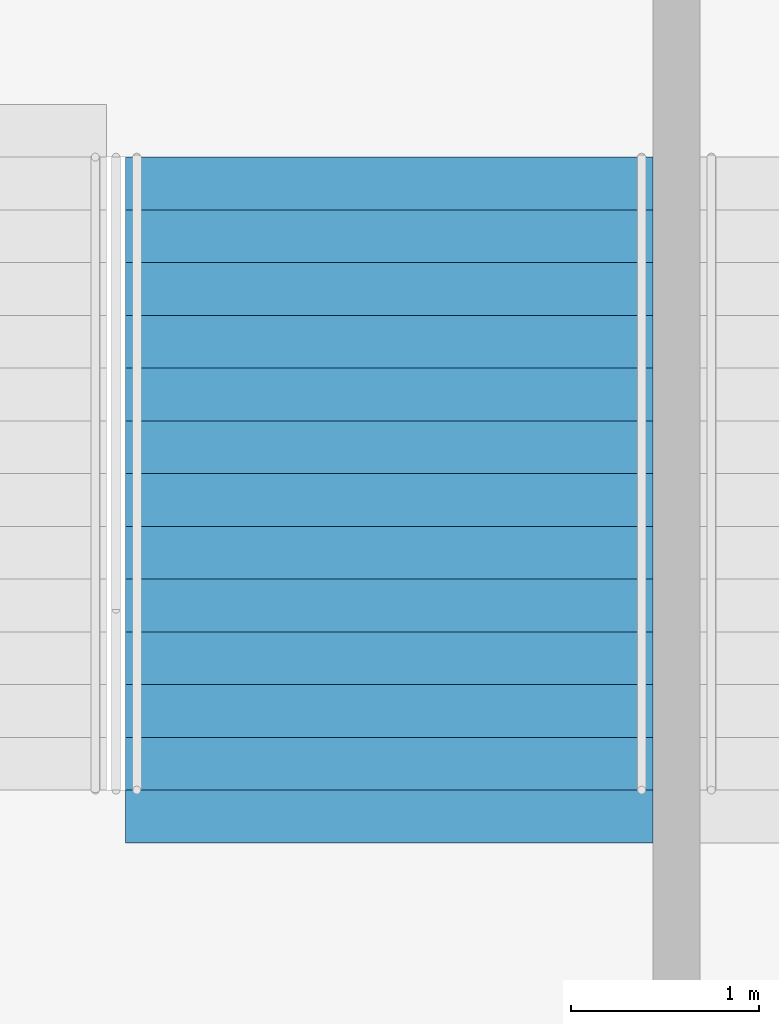
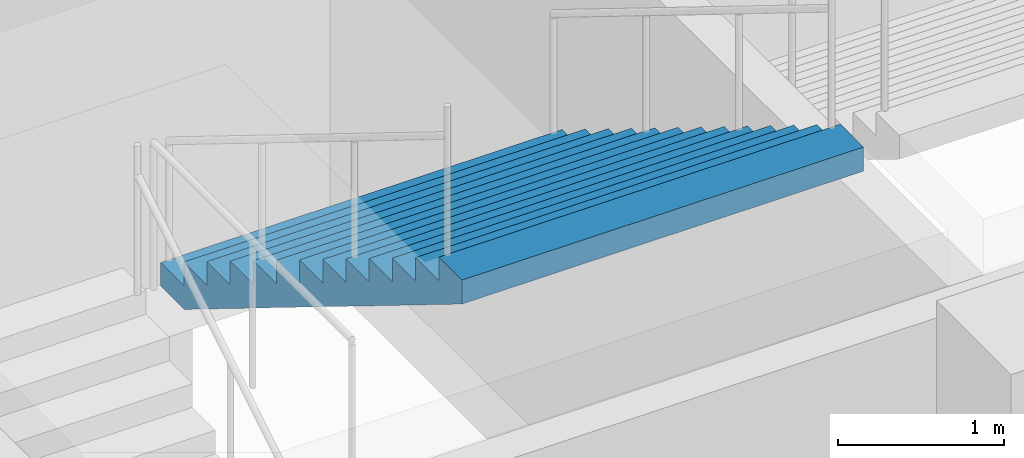
# One storey, part 141 of 177: 1 stair flight, 1 element without a shape of its own.
"""IFC4 building model written with IfcOpenShell, lengths in metres."""

from ifc_helpers import new_model, si_unit, direction, frame, origin, place, context, subcontext, project, spatial, faceted_brep, material, type_object, element, aggregate, save


model = new_model("IFC4")

# Units and contexts
model_context = context("Model", 3, precision=1e-05, world=origin(), true_north=direction((0.0, 1.0)))
body_context = subcontext(model_context, "Body", "Model", "MODEL_VIEW")
ifc_project = project(units=[si_unit("LENGTHUNIT", "METRE"), si_unit("AREAUNIT", "SQUARE_METRE"), si_unit("VOLUMEUNIT", "CUBIC_METRE"), si_unit("PLANEANGLEUNIT", "RADIAN"), si_unit("MASSUNIT", "GRAM", prefix="KILO")], contexts=[model_context])

# Site, building, storey
site_placement = place(None, origin())
site = spatial("IfcSite", under=ifc_project, at=site_placement, CompositionType="ELEMENT")
building_placement = place(site_placement, origin())
building = spatial("IfcBuilding", under=site, at=building_placement, Name="Ogive Plaza Stadium", CompositionType="ELEMENT")
storey_placement = place(building_placement, frame((0.0, 0.0, 18.0)))
storey = spatial("IfcBuildingStorey", under=building, at=storey_placement, Name="L04", CompositionType="ELEMENT", Elevation=18.0)

# Stair, stair flight
ifc_material_1 = material(Name="Concrete C40/50", Category="concrete")
stair_type = type_object("IfcStairType", Name="Exit stair", PredefinedType="STRAIGHT_RUN_STAIR", material=ifc_material_1)
stair_placement = place(storey_placement, origin())
stair = element("IfcStair", 1, at=stair_placement, inside=storey, type_object=stair_type, Name="Exit stair ST32B L04 to L05", PredefinedType="STRAIGHT_RUN_STAIR")
ifc_material_2 = material(Name="Concrete C40/50", Category="concrete")
stair_flight_type = type_object("IfcStairFlightType", Name="Exit stair flight", PredefinedType="STRAIGHT", material=ifc_material_2)
stair_flight_placement = place(storey_placement, frame((-35.52490234375, 98.2099609375, 2.25), z_axis=(0.0, 0.0, 1.0), x_axis=(0.0, -1.0, 0.0)))
stair_flight = element("IfcStairFlight", 2, at=stair_flight_placement, type_object=stair_flight_type, Name="ST32B flight 2", NumberOfRisers=13, NumberOfTreads=12, PredefinedType="STRAIGHT", RiserHeight=0.173076923, TreadLength=0.28, context=body_context, shape_type="Brep", body=[
    faceted_brep([(0.28515625, -1.39990234375, 0.0), (3.639892578125, -1.39990234375, 2.07373046875), (3.639892578125, -1.39990234375, 2.25), (3.360107421875, -1.39990234375, 2.25), (3.360107421875, -1.39990234375, 2.076904296875), (3.080078125, -1.39990234375, 2.076904296875), (3.080078125, -1.39990234375, 1.90380859375), (2.800048828125, -1.39990234375, 1.90380859375), (2.800048828125, -1.39990234375, 1.730712890625), (2.52001953125, -1.39990234375, 1.730712890625), (2.52001953125, -1.39990234375, 1.5576171875), (2.239990234375, -1.39990234375, 1.5576171875), (2.239990234375, -1.39990234375, 1.384521484375), (1.9599609375, -1.39990234375, 1.384521484375), (1.9599609375, -1.39990234375, 1.21142578125), (1.679931640625, -1.39990234375, 1.21142578125), (1.679931640625, -1.39990234375, 1.03857421875), (1.39990234375, -1.39990234375, 1.03857421875), (1.39990234375, -1.39990234375, 0.865478515625), (1.1201171875, -1.39990234375, 0.865478515625), (1.1201171875, -1.39990234375, 0.6923828125), (0.840087890625, -1.39990234375, 0.6923828125), (0.840087890625, -1.39990234375, 0.519287109375), (0.56005859375, -1.39990234375, 0.519287109375), (0.56005859375, -1.39990234375, 0.34619140625), (0.280029296875, -1.39990234375, 0.34619140625), (0.280029296875, -1.39990234375, 0.173095703125), (0.0, -1.39990234375, 0.173095703125), (0.0, -1.39990234375, 0.0), (0.0, 1.39990234375, 0.0), (0.0, 1.39990234375, 0.173095703125), (0.280029296875, 1.39990234375, 0.173095703125), (0.280029296875, 1.39990234375, 0.34619140625), (0.56005859375, 1.39990234375, 0.34619140625), (0.56005859375, 1.39990234375, 0.519287109375), (0.840087890625, 1.39990234375, 0.519287109375), (0.840087890625, 1.39990234375, 0.6923828125), (1.1201171875, 1.39990234375, 0.6923828125), (1.1201171875, 1.39990234375, 0.865478515625), (1.39990234375, 1.39990234375, 0.865478515625), (1.39990234375, 1.39990234375, 1.03857421875), (1.679931640625, 1.39990234375, 1.03857421875), (1.679931640625, 1.39990234375, 1.21142578125), (1.9599609375, 1.39990234375, 1.21142578125), (1.9599609375, 1.39990234375, 1.384521484375), (2.239990234375, 1.39990234375, 1.384521484375), (2.239990234375, 1.39990234375, 1.5576171875), (2.52001953125, 1.39990234375, 1.5576171875), (2.52001953125, 1.39990234375, 1.730712890625), (2.800048828125, 1.39990234375, 1.730712890625), (2.800048828125, 1.39990234375, 1.90380859375), (3.080078125, 1.39990234375, 1.90380859375), (3.080078125, 1.39990234375, 2.076904296875), (3.360107421875, 1.39990234375, 2.076904296875), (3.360107421875, 1.39990234375, 2.25), (3.639892578125, 1.39990234375, 2.25), (3.639892578125, 1.39990234375, 2.07373046875), (0.28515625, 1.39990234375, 0.0), (0.28515625, -1.0888671875, 0.0), (3.639892578125, -1.0888671875, 2.07373046875), (0.28515625, -0.77783203125, 0.0), (3.639892578125, -0.77783203125, 2.07373046875), (0.28515625, -0.466796875, 0.0), (3.639892578125, -0.466796875, 2.07373046875), (0.28515625, -0.155517578125, 0.0), (3.639892578125, -0.155517578125, 2.07373046875), (0.28515625, 0.155517578125, 0.0), (3.639892578125, 0.155517578125, 2.07373046875), (0.28515625, 0.466796875, 0.0), (3.639892578125, 0.466796875, 2.07373046875), (0.28515625, 0.77783203125, 0.0), (3.639892578125, 0.77783203125, 2.07373046875), (0.28515625, 1.0888671875, 0.0), (3.639892578125, 1.0888671875, 2.07373046875), (3.639892578125, -1.0888671875, 2.25), (3.639892578125, -0.77783203125, 2.25), (3.639892578125, -0.466796875, 2.25), (3.639892578125, -0.155517578125, 2.25), (3.639892578125, 0.155517578125, 2.25), (3.639892578125, 0.466796875, 2.25), (3.639892578125, 0.77783203125, 2.25), (3.639892578125, 1.0888671875, 2.25), (3.360107421875, -1.0888671875, 2.25), (3.360107421875, -0.77783203125, 2.25), (3.360107421875, -0.466796875, 2.25), (3.360107421875, -0.155517578125, 2.25), (3.360107421875, 0.155517578125, 2.25), (3.360107421875, 0.466796875, 2.25), (3.360107421875, 0.77783203125, 2.25), (3.360107421875, 1.0888671875, 2.25), (3.360107421875, -1.0888671875, 2.076904296875), (3.360107421875, -0.77783203125, 2.076904296875), (3.360107421875, -0.466796875, 2.076904296875), (3.360107421875, -0.155517578125, 2.076904296875), (3.360107421875, 0.155517578125, 2.076904296875), (3.360107421875, 0.466796875, 2.076904296875), (3.360107421875, 0.77783203125, 2.076904296875), (3.360107421875, 1.0888671875, 2.076904296875), (3.080078125, -1.0888671875, 2.076904296875), (3.080078125, -0.77783203125, 2.076904296875), (3.080078125, -0.466796875, 2.076904296875), (3.080078125, -0.155517578125, 2.076904296875), (3.080078125, 0.155517578125, 2.076904296875), (3.080078125, 0.466796875, 2.076904296875), (3.080078125, 0.77783203125, 2.076904296875), (3.080078125, 1.0888671875, 2.076904296875), (3.080078125, -1.0888671875, 1.90380859375), (3.080078125, -0.77783203125, 1.90380859375), (3.080078125, -0.466796875, 1.90380859375), (3.080078125, -0.155517578125, 1.90380859375), (3.080078125, 0.155517578125, 1.90380859375), (3.080078125, 0.466796875, 1.90380859375), (3.080078125, 0.77783203125, 1.90380859375), (3.080078125, 1.0888671875, 1.90380859375), (2.800048828125, -1.0888671875, 1.90380859375), (2.800048828125, -0.77783203125, 1.90380859375), (2.800048828125, -0.466796875, 1.90380859375), (2.800048828125, -0.155517578125, 1.90380859375), (2.800048828125, 0.155517578125, 1.90380859375), (2.800048828125, 0.466796875, 1.90380859375), (2.800048828125, 0.77783203125, 1.90380859375), (2.800048828125, 1.0888671875, 1.90380859375), (2.800048828125, -1.0888671875, 1.730712890625), (2.800048828125, -0.77783203125, 1.730712890625), (2.800048828125, -0.466796875, 1.730712890625), (2.800048828125, -0.155517578125, 1.730712890625), (2.800048828125, 0.155517578125, 1.730712890625), (2.800048828125, 0.466796875, 1.730712890625), (2.800048828125, 0.77783203125, 1.730712890625), (2.800048828125, 1.0888671875, 1.730712890625), (2.52001953125, -1.0888671875, 1.730712890625), (2.52001953125, -0.77783203125, 1.730712890625), (2.52001953125, -0.466796875, 1.730712890625), (2.52001953125, -0.155517578125, 1.730712890625), (2.52001953125, 0.155517578125, 1.730712890625), (2.52001953125, 0.466796875, 1.730712890625), (2.52001953125, 0.77783203125, 1.730712890625), (2.52001953125, 1.0888671875, 1.730712890625), (2.52001953125, -1.0888671875, 1.5576171875), (2.52001953125, -0.77783203125, 1.5576171875), (2.52001953125, -0.466796875, 1.5576171875), (2.52001953125, -0.155517578125, 1.5576171875), (2.52001953125, 0.155517578125, 1.5576171875), (2.52001953125, 0.466796875, 1.5576171875), (2.52001953125, 0.77783203125, 1.5576171875), (2.52001953125, 1.0888671875, 1.5576171875), (2.239990234375, -1.0888671875, 1.5576171875), (2.239990234375, -0.77783203125, 1.5576171875), (2.239990234375, -0.466796875, 1.5576171875), (2.239990234375, -0.155517578125, 1.5576171875), (2.239990234375, 0.155517578125, 1.5576171875), (2.239990234375, 0.466796875, 1.5576171875), (2.239990234375, 0.77783203125, 1.5576171875), (2.239990234375, 1.0888671875, 1.5576171875), (2.239990234375, -1.0888671875, 1.384521484375), (2.239990234375, -0.77783203125, 1.384521484375), (2.239990234375, -0.466796875, 1.384521484375), (2.239990234375, -0.155517578125, 1.384521484375), (2.239990234375, 0.155517578125, 1.384521484375), (2.239990234375, 0.466796875, 1.384521484375), (2.239990234375, 0.77783203125, 1.384521484375), (2.239990234375, 1.0888671875, 1.384521484375), (1.9599609375, -1.0888671875, 1.384521484375), (1.9599609375, -0.77783203125, 1.384521484375), (1.9599609375, -0.466796875, 1.384521484375), (1.9599609375, -0.155517578125, 1.384521484375), (1.9599609375, 0.155517578125, 1.384521484375), (1.9599609375, 0.466796875, 1.384521484375), (1.9599609375, 0.77783203125, 1.384521484375), (1.9599609375, 1.0888671875, 1.384521484375), (1.9599609375, -1.0888671875, 1.21142578125), (1.9599609375, -0.77783203125, 1.21142578125), (1.9599609375, -0.466796875, 1.21142578125), (1.9599609375, -0.155517578125, 1.21142578125), (1.9599609375, 0.155517578125, 1.21142578125), (1.9599609375, 0.466796875, 1.21142578125), (1.9599609375, 0.77783203125, 1.21142578125), (1.9599609375, 1.0888671875, 1.21142578125), (1.679931640625, -1.0888671875, 1.21142578125), (1.679931640625, -0.77783203125, 1.21142578125), (1.679931640625, -0.466796875, 1.21142578125), (1.679931640625, -0.155517578125, 1.21142578125), (1.679931640625, 0.155517578125, 1.21142578125), (1.679931640625, 0.466796875, 1.21142578125), (1.679931640625, 0.77783203125, 1.21142578125), (1.679931640625, 1.0888671875, 1.21142578125), (1.679931640625, -1.0888671875, 1.03857421875), (1.679931640625, -0.77783203125, 1.03857421875), (1.679931640625, -0.466796875, 1.03857421875), (1.679931640625, -0.155517578125, 1.03857421875), (1.679931640625, 0.155517578125, 1.03857421875), (1.679931640625, 0.466796875, 1.03857421875), (1.679931640625, 0.77783203125, 1.03857421875), (1.679931640625, 1.0888671875, 1.03857421875), (1.39990234375, -1.0888671875, 1.03857421875), (1.39990234375, -0.77783203125, 1.03857421875), (1.39990234375, -0.466796875, 1.03857421875), (1.39990234375, -0.155517578125, 1.03857421875), (1.39990234375, 0.155517578125, 1.03857421875), (1.39990234375, 0.466796875, 1.03857421875), (1.39990234375, 0.77783203125, 1.03857421875), (1.39990234375, 1.0888671875, 1.03857421875), (1.39990234375, -1.0888671875, 0.865478515625), (1.39990234375, -0.77783203125, 0.865478515625), (1.39990234375, -0.466796875, 0.865478515625), (1.39990234375, -0.155517578125, 0.865478515625), (1.39990234375, 0.155517578125, 0.865478515625), (1.39990234375, 0.466796875, 0.865478515625), (1.39990234375, 0.77783203125, 0.865478515625), (1.39990234375, 1.0888671875, 0.865478515625), (1.1201171875, -1.0888671875, 0.865478515625), (1.1201171875, -0.77783203125, 0.865478515625), (1.1201171875, -0.466796875, 0.865478515625), (1.1201171875, -0.155517578125, 0.865478515625), (1.1201171875, 0.155517578125, 0.865478515625), (1.1201171875, 0.466796875, 0.865478515625), (1.1201171875, 0.77783203125, 0.865478515625), (1.1201171875, 1.0888671875, 0.865478515625), (1.1201171875, -1.0888671875, 0.6923828125), (1.1201171875, -0.77783203125, 0.6923828125), (1.1201171875, -0.466796875, 0.6923828125), (1.1201171875, -0.155517578125, 0.6923828125), (1.1201171875, 0.155517578125, 0.6923828125), (1.1201171875, 0.466796875, 0.6923828125), (1.1201171875, 0.77783203125, 0.6923828125), (1.1201171875, 1.0888671875, 0.6923828125), (0.840087890625, -1.0888671875, 0.6923828125), (0.840087890625, -0.77783203125, 0.6923828125), (0.840087890625, -0.466796875, 0.6923828125), (0.840087890625, -0.155517578125, 0.6923828125), (0.840087890625, 0.155517578125, 0.6923828125), (0.840087890625, 0.466796875, 0.6923828125), (0.840087890625, 0.77783203125, 0.6923828125), (0.840087890625, 1.0888671875, 0.6923828125), (0.840087890625, -1.0888671875, 0.519287109375), (0.840087890625, -0.77783203125, 0.519287109375), (0.840087890625, -0.466796875, 0.519287109375), (0.840087890625, -0.155517578125, 0.519287109375), (0.840087890625, 0.155517578125, 0.519287109375), (0.840087890625, 0.466796875, 0.519287109375), (0.840087890625, 0.77783203125, 0.519287109375), (0.840087890625, 1.0888671875, 0.519287109375), (0.56005859375, -1.0888671875, 0.519287109375), (0.56005859375, -0.77783203125, 0.519287109375), (0.56005859375, -0.466796875, 0.519287109375), (0.56005859375, -0.155517578125, 0.519287109375), (0.56005859375, 0.155517578125, 0.519287109375), (0.56005859375, 0.466796875, 0.519287109375), (0.56005859375, 0.77783203125, 0.519287109375), (0.56005859375, 1.0888671875, 0.519287109375), (0.56005859375, -1.0888671875, 0.34619140625), (0.56005859375, -0.77783203125, 0.34619140625), (0.56005859375, -0.466796875, 0.34619140625), (0.56005859375, -0.155517578125, 0.34619140625), (0.56005859375, 0.155517578125, 0.34619140625), (0.56005859375, 0.466796875, 0.34619140625), (0.56005859375, 0.77783203125, 0.34619140625), (0.56005859375, 1.0888671875, 0.34619140625), (0.280029296875, -1.0888671875, 0.34619140625), (0.280029296875, -0.77783203125, 0.34619140625), (0.280029296875, -0.466796875, 0.34619140625), (0.280029296875, -0.155517578125, 0.34619140625), (0.280029296875, 0.155517578125, 0.34619140625), (0.280029296875, 0.466796875, 0.34619140625), (0.280029296875, 0.77783203125, 0.34619140625), (0.280029296875, 1.0888671875, 0.34619140625), (0.280029296875, -1.0888671875, 0.173095703125), (0.280029296875, -0.77783203125, 0.173095703125), (0.280029296875, -0.466796875, 0.173095703125), (0.280029296875, -0.155517578125, 0.173095703125), (0.280029296875, 0.155517578125, 0.173095703125), (0.280029296875, 0.466796875, 0.173095703125), (0.280029296875, 0.77783203125, 0.173095703125), (0.280029296875, 1.0888671875, 0.173095703125), (0.0, -1.0888671875, 0.173095703125), (0.0, -0.77783203125, 0.173095703125), (0.0, -0.466796875, 0.173095703125), (0.0, -0.155517578125, 0.173095703125), (0.0, 0.155517578125, 0.173095703125), (0.0, 0.466796875, 0.173095703125), (0.0, 0.77783203125, 0.173095703125), (0.0, 1.0888671875, 0.173095703125), (0.0, -1.0888671875, 0.0), (0.0, -0.77783203125, 0.0), (0.0, -0.466796875, 0.0), (0.0, -0.155517578125, 0.0), (0.0, 0.155517578125, 0.0), (0.0, 0.466796875, 0.0), (0.0, 0.77783203125, 0.0), (0.0, 1.0888671875, 0.0)], [[[0, 1, 2, 3, 4, 5, 6, 7, 8, 9, 10, 11, 12, 13, 14, 15, 16, 17, 18, 19, 20, 21, 22, 23, 24, 25, 26, 27, 28]], [[29, 30, 31, 32, 33, 34, 35, 36, 37, 38, 39, 40, 41, 42, 43, 44, 45, 46, 47, 48, 49, 50, 51, 52, 53, 54, 55, 56, 57]], [[0, 58, 59, 1]], [[58, 60, 61, 59]], [[60, 62, 63, 61]], [[62, 64, 65, 63]], [[64, 66, 67, 65]], [[66, 68, 69, 67]], [[68, 70, 71, 69]], [[70, 72, 73, 71]], [[72, 57, 56, 73]], [[1, 59, 74, 2]], [[59, 61, 75, 74]], [[61, 63, 76, 75]], [[63, 65, 77, 76]], [[65, 67, 78, 77]], [[67, 69, 79, 78]], [[69, 71, 80, 79]], [[71, 73, 81, 80]], [[73, 56, 55, 81]], [[2, 74, 82, 3]], [[74, 75, 83, 82]], [[75, 76, 84, 83]], [[76, 77, 85, 84]], [[77, 78, 86, 85]], [[78, 79, 87, 86]], [[79, 80, 88, 87]], [[80, 81, 89, 88]], [[81, 55, 54, 89]], [[3, 82, 90, 4]], [[82, 83, 91, 90]], [[83, 84, 92, 91]], [[84, 85, 93, 92]], [[85, 86, 94, 93]], [[86, 87, 95, 94]], [[87, 88, 96, 95]], [[88, 89, 97, 96]], [[89, 54, 53, 97]], [[4, 90, 98, 5]], [[90, 91, 99, 98]], [[91, 92, 100, 99]], [[92, 93, 101, 100]], [[93, 94, 102, 101]], [[94, 95, 103, 102]], [[95, 96, 104, 103]], [[96, 97, 105, 104]], [[97, 53, 52, 105]], [[5, 98, 106, 6]], [[98, 99, 107, 106]], [[99, 100, 108, 107]], [[100, 101, 109, 108]], [[101, 102, 110, 109]], [[102, 103, 111, 110]], [[103, 104, 112, 111]], [[104, 105, 113, 112]], [[105, 52, 51, 113]], [[6, 106, 114, 7]], [[106, 107, 115, 114]], [[107, 108, 116, 115]], [[108, 109, 117, 116]], [[109, 110, 118, 117]], [[110, 111, 119, 118]], [[111, 112, 120, 119]], [[112, 113, 121, 120]], [[113, 51, 50, 121]], [[7, 114, 122, 8]], [[114, 115, 123, 122]], [[115, 116, 124, 123]], [[116, 117, 125, 124]], [[117, 118, 126, 125]], [[118, 119, 127, 126]], [[119, 120, 128, 127]], [[120, 121, 129, 128]], [[121, 50, 49, 129]], [[8, 122, 130, 9]], [[122, 123, 131, 130]], [[123, 124, 132, 131]], [[124, 125, 133, 132]], [[125, 126, 134, 133]], [[126, 127, 135, 134]], [[127, 128, 136, 135]], [[128, 129, 137, 136]], [[129, 49, 48, 137]], [[9, 130, 138, 10]], [[130, 131, 139, 138]], [[131, 132, 140, 139]], [[132, 133, 141, 140]], [[133, 134, 142, 141]], [[134, 135, 143, 142]], [[135, 136, 144, 143]], [[136, 137, 145, 144]], [[137, 48, 47, 145]], [[10, 138, 146, 11]], [[138, 139, 147, 146]], [[139, 140, 148, 147]], [[140, 141, 149, 148]], [[141, 142, 150, 149]], [[142, 143, 151, 150]], [[143, 144, 152, 151]], [[144, 145, 153, 152]], [[145, 47, 46, 153]], [[11, 146, 154, 12]], [[146, 147, 155, 154]], [[147, 148, 156, 155]], [[148, 149, 157, 156]], [[149, 150, 158, 157]], [[150, 151, 159, 158]], [[151, 152, 160, 159]], [[152, 153, 161, 160]], [[153, 46, 45, 161]], [[12, 154, 162, 13]], [[154, 155, 163, 162]], [[155, 156, 164, 163]], [[156, 157, 165, 164]], [[157, 158, 166, 165]], [[158, 159, 167, 166]], [[159, 160, 168, 167]], [[160, 161, 169, 168]], [[161, 45, 44, 169]], [[13, 162, 170, 14]], [[162, 163, 171, 170]], [[163, 164, 172, 171]], [[164, 165, 173, 172]], [[165, 166, 174, 173]], [[166, 167, 175, 174]], [[167, 168, 176, 175]], [[168, 169, 177, 176]], [[169, 44, 43, 177]], [[14, 170, 178, 15]], [[170, 171, 179, 178]], [[171, 172, 180, 179]], [[172, 173, 181, 180]], [[173, 174, 182, 181]], [[174, 175, 183, 182]], [[175, 176, 184, 183]], [[176, 177, 185, 184]], [[177, 43, 42, 185]], [[15, 178, 186, 16]], [[178, 179, 187, 186]], [[179, 180, 188, 187]], [[180, 181, 189, 188]], [[181, 182, 190, 189]], [[182, 183, 191, 190]], [[183, 184, 192, 191]], [[184, 185, 193, 192]], [[185, 42, 41, 193]], [[16, 186, 194, 17]], [[186, 187, 195, 194]], [[187, 188, 196, 195]], [[188, 189, 197, 196]], [[189, 190, 198, 197]], [[190, 191, 199, 198]], [[191, 192, 200, 199]], [[192, 193, 201, 200]], [[193, 41, 40, 201]], [[17, 194, 202, 18]], [[194, 195, 203, 202]], [[195, 196, 204, 203]], [[196, 197, 205, 204]], [[197, 198, 206, 205]], [[198, 199, 207, 206]], [[199, 200, 208, 207]], [[200, 201, 209, 208]], [[201, 40, 39, 209]], [[18, 202, 210, 19]], [[202, 203, 211, 210]], [[203, 204, 212, 211]], [[204, 205, 213, 212]], [[205, 206, 214, 213]], [[206, 207, 215, 214]], [[207, 208, 216, 215]], [[208, 209, 217, 216]], [[209, 39, 38, 217]], [[19, 210, 218, 20]], [[210, 211, 219, 218]], [[211, 212, 220, 219]], [[212, 213, 221, 220]], [[213, 214, 222, 221]], [[214, 215, 223, 222]], [[215, 216, 224, 223]], [[216, 217, 225, 224]], [[217, 38, 37, 225]], [[20, 218, 226, 21]], [[218, 219, 227, 226]], [[219, 220, 228, 227]], [[220, 221, 229, 228]], [[221, 222, 230, 229]], [[222, 223, 231, 230]], [[223, 224, 232, 231]], [[224, 225, 233, 232]], [[225, 37, 36, 233]], [[21, 226, 234, 22]], [[226, 227, 235, 234]], [[227, 228, 236, 235]], [[228, 229, 237, 236]], [[229, 230, 238, 237]], [[230, 231, 239, 238]], [[231, 232, 240, 239]], [[232, 233, 241, 240]], [[233, 36, 35, 241]], [[22, 234, 242, 23]], [[234, 235, 243, 242]], [[235, 236, 244, 243]], [[236, 237, 245, 244]], [[237, 238, 246, 245]], [[238, 239, 247, 246]], [[239, 240, 248, 247]], [[240, 241, 249, 248]], [[241, 35, 34, 249]], [[23, 242, 250, 24]], [[242, 243, 251, 250]], [[243, 244, 252, 251]], [[244, 245, 253, 252]], [[245, 246, 254, 253]], [[246, 247, 255, 254]], [[247, 248, 256, 255]], [[248, 249, 257, 256]], [[249, 34, 33, 257]], [[24, 250, 258, 25]], [[250, 251, 259, 258]], [[251, 252, 260, 259]], [[252, 253, 261, 260]], [[253, 254, 262, 261]], [[254, 255, 263, 262]], [[255, 256, 264, 263]], [[256, 257, 265, 264]], [[257, 33, 32, 265]], [[25, 258, 266, 26]], [[258, 259, 267, 266]], [[259, 260, 268, 267]], [[260, 261, 269, 268]], [[261, 262, 270, 269]], [[262, 263, 271, 270]], [[263, 264, 272, 271]], [[264, 265, 273, 272]], [[265, 32, 31, 273]], [[26, 266, 274, 27]], [[266, 267, 275, 274]], [[267, 268, 276, 275]], [[268, 269, 277, 276]], [[269, 270, 278, 277]], [[270, 271, 279, 278]], [[271, 272, 280, 279]], [[272, 273, 281, 280]], [[273, 31, 30, 281]], [[27, 274, 282, 28]], [[274, 275, 283, 282]], [[275, 276, 284, 283]], [[276, 277, 285, 284]], [[277, 278, 286, 285]], [[278, 279, 287, 286]], [[279, 280, 288, 287]], [[280, 281, 289, 288]], [[281, 30, 29, 289]], [[28, 282, 58, 0]], [[282, 283, 60, 58]], [[283, 284, 62, 60]], [[284, 285, 64, 62]], [[285, 286, 66, 64]], [[286, 287, 68, 66]], [[287, 288, 70, 68]], [[288, 289, 72, 70]], [[289, 29, 57, 72]]]),
])
aggregate(stair, [stair_flight])

save(model, "model.ifc")
